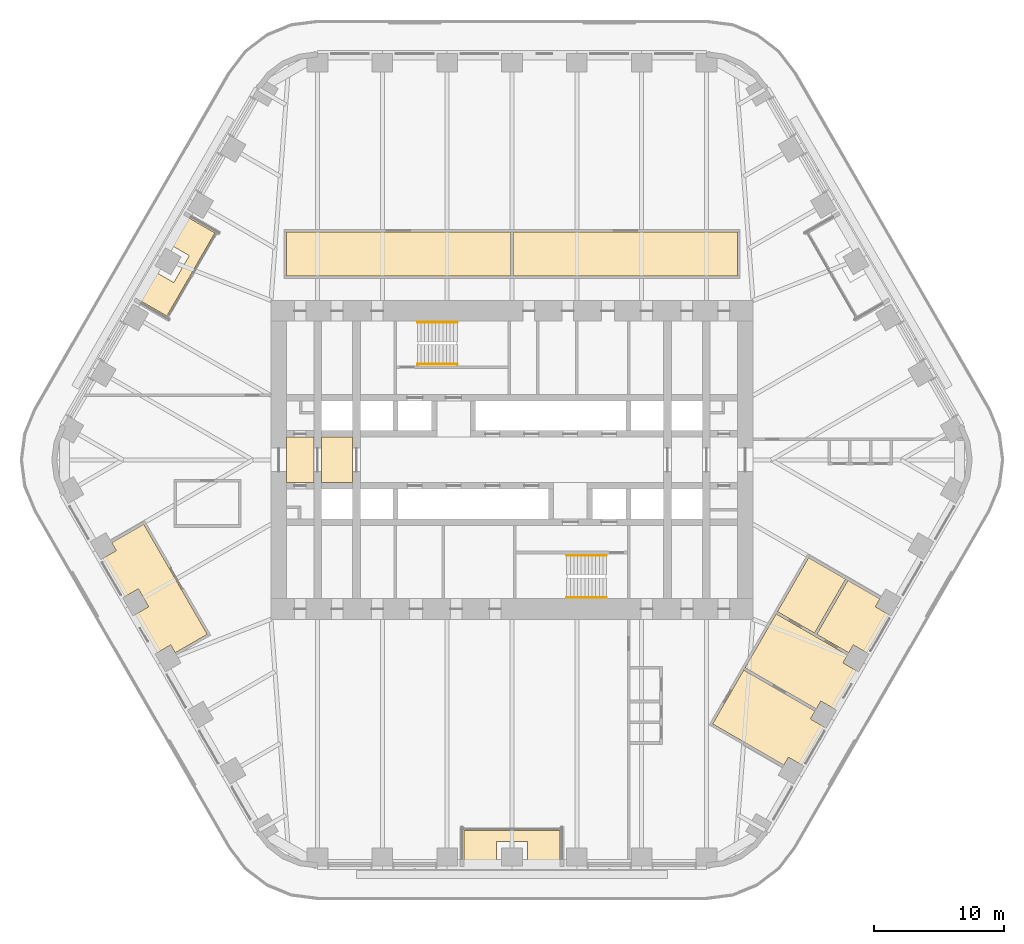
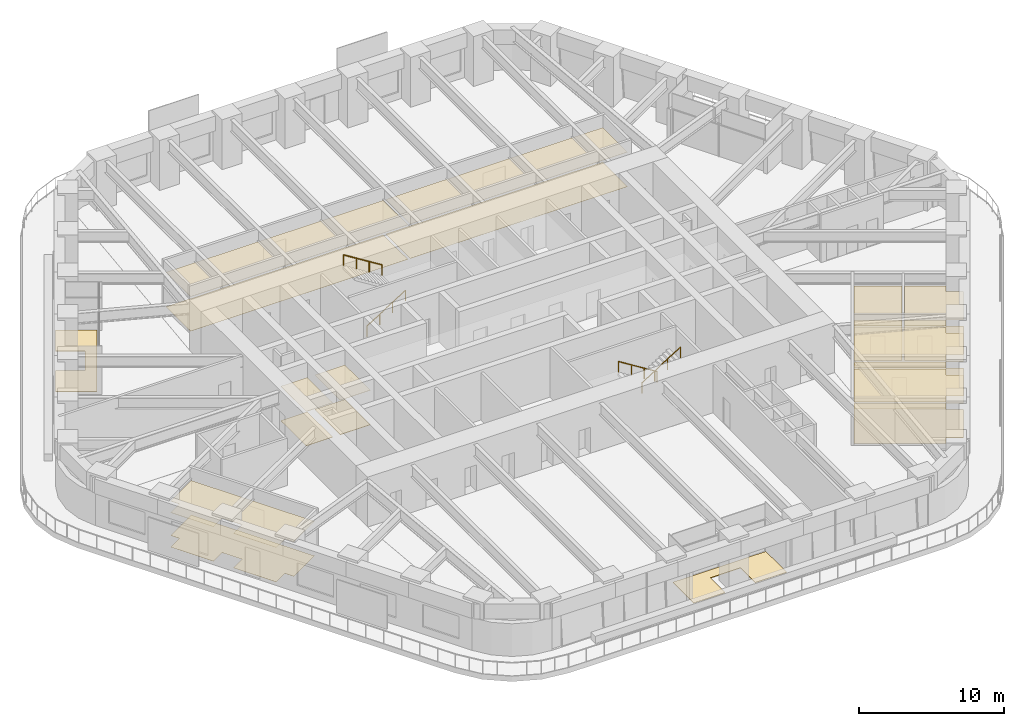
# One storey, part 22 of 24: 8 coverings, 4 railings.
"""IFC4 building model written with IfcOpenShell, lengths in metres."""

from ifc_helpers import new_model, si_unit, direction, frame, origin, origin_2d, place, context, subcontext, project, spatial, polyline, circle, outline, extrude, material, layer, layer_set, type_object, element, save


model = new_model("IFC4")

# Units and contexts
model_context = context("Model", 3, precision=1e-05, world=origin(), true_north=direction((0.0, 1.0)))
body_context = subcontext(model_context, "Body", "Model", "MODEL_VIEW")
ifc_project = project(units=[si_unit("LENGTHUNIT", "METRE"), si_unit("AREAUNIT", "SQUARE_METRE"), si_unit("VOLUMEUNIT", "CUBIC_METRE"), si_unit("PLANEANGLEUNIT", "RADIAN"), si_unit("MASSUNIT", "GRAM", prefix="KILO")], contexts=[model_context])

# Site, building, storey
site_placement = place(None, origin())
site = spatial("IfcSite", under=ifc_project, at=site_placement, CompositionType="ELEMENT")
building_placement = place(site_placement, origin())
building = spatial("IfcBuilding", under=site, at=building_placement, Name="Tarfa Lantern Tower", CompositionType="ELEMENT")
storey_placement = place(building_placement, frame((0.0, 0.0, 165.699951171875)))
storey = spatial("IfcBuildingStorey", under=building, at=storey_placement, Name="L37", CompositionType="ELEMENT", Elevation=165.699951171875)

# Coverings
ifc_material_1 = material(Name="Mineral fibre acoustic tile on suspension grid", Category="finish")
ifc_layer_1 = layer(ifc_material_1, 0.02001953125)
ifc_layer_set_1 = layer_set([ifc_layer_1], Name="CL1 ACOUSTIC TILE CEILING 20")
covering_type_1 = type_object("IfcCoveringType", Name="CL1 ACOUSTIC TILE CEILING 20", PredefinedType="CEILING", material=ifc_layer_set_1)
covering_1_placement = place(storey_placement, frame((0.0, 0.0, 2.900146484375)))
element("IfcCovering", 1, at=covering_1_placement, inside=storey, type_object=covering_type_1, Name="Ceiling L37 CL1", PredefinedType="CEILING", context=body_context, shape_type="SweptSolid", body=[
    extrude(outline(polyline([(-17.39990234375, 17.60009765625), (-0.10009765625, 17.60009765625), (-0.10009765625, 14.199951171875), (-17.39990234375, 14.199951171875), (-17.39990234375, 17.60009765625)])), origin(), (0.0, 0.0, 1.0), 0.02001953125),
    extrude(outline(polyline([(0.10009765625, 17.60009765625), (17.39990234375, 17.60009765625), (17.39990234375, 14.199951171875), (0.10009765625, 14.199951171875), (0.10009765625, 17.60009765625)])), origin(), (0.0, 0.0, 1.0), 0.02001953125),
    extrude(outline(polyline([(17.88623046875, -16.219970703125), (23.385498046875, -19.39501953125), (23.03564453125, -20.001220703125), (24.074951171875, -20.60107421875), (22.373046875, -23.548828125), (21.333740234375, -22.94873046875), (20.983642578125, -23.55517578125), (15.484375, -20.380126953125), (17.88623046875, -16.219970703125)])), origin(), (0.0, 0.0, 1.0), 0.02001953125),
    extrude(outline(polyline([(20.38818359375, -11.88671875), (25.887451171875, -15.0615234375), (25.537353515625, -15.667724609375), (26.57666015625, -16.267822265625), (24.874755859375, -19.215576171875), (23.835693359375, -18.615478515625), (23.485595703125, -19.2216796875), (17.986328125, -16.046630859375), (20.38818359375, -11.88671875)])), origin(), (0.0, 0.0, 1.0), 0.02001953125),
    extrude(outline(polyline([(25.921142578125, -9.30322265625), (28.389404296875, -10.728271484375), (28.039306640625, -11.33447265625), (29.07861328125, -11.9345703125), (27.376708984375, -14.882080078125), (26.33740234375, -14.2822265625), (25.987548828125, -14.888427734375), (23.519287109375, -13.46337890625), (25.921142578125, -9.30322265625)])), origin(), (0.0, 0.0, 1.0), 0.02001953125),
    extrude(outline(polyline([(22.89013671875, -7.55322265625), (25.748046875, -9.203369140625), (23.34619140625, -13.36328125), (20.48828125, -11.71337890625), (22.89013671875, -7.55322265625)])), origin(), (0.0, 0.0, 1.0), 0.02001953125),
    extrude(outline(polyline([(-23.519287109375, -13.46337890625), (-25.987548828125, -14.888427734375), (-26.33740234375, -14.2822265625), (-27.376708984375, -14.882080078125), (-29.07861328125, -11.9345703125), (-28.039306640625, -11.33447265625), (-28.83935546875, -9.94873046875), (-29.878662109375, -10.548828125), (-31.580322265625, -7.60107421875), (-30.541259765625, -7.001220703125), (-30.89111328125, -6.39501953125), (-28.423095703125, -4.969970703125), (-23.519287109375, -13.46337890625)])), origin(), (0.0, 0.0, 1.0), 0.02001953125),
])
ifc_material_2 = material(Name="Powder-coated aluminium panel", Category="aluminium")
ifc_layer_2 = layer(ifc_material_2, 0.030029296875)
ifc_layer_set_2 = layer_set([ifc_layer_2], Name="CL3 METAL PANEL CEILING 30")
covering_type_2 = type_object("IfcCoveringType", Name="CL3 METAL PANEL CEILING 30", PredefinedType="CEILING", material=ifc_layer_set_2)
covering_2_placement = place(storey_placement, frame((0.0, 0.0, 2.900146484375)))
element("IfcCovering", 2, at=covering_2_placement, inside=storey, type_object=covering_type_2, Name="Ceiling L37-01", PredefinedType="CEILING", context=body_context, shape_type="SweptSolid", body=[
    extrude(outline(polyline([(-17.39990234375, -1.75), (-15.300048828125, -1.75), (-15.300048828125, 1.75), (-17.39990234375, 1.75), (-17.39990234375, -1.75)])), origin(), (0.0, 0.0, 1.0), 0.02978515625),
])
covering_3_placement = place(storey_placement, frame((0.0, 0.0, 2.900146484375)))
element("IfcCovering", 3, at=covering_3_placement, inside=storey, type_object=covering_type_2, Name="Ceiling L37-02", PredefinedType="CEILING", context=body_context, shape_type="SweptSolid", body=[
    extrude(outline(polyline([(-14.699951171875, -1.75), (-12.300048828125, -1.75), (-12.300048828125, 1.75), (-14.699951171875, 1.75), (-14.699951171875, -1.75)])), origin(), (0.0, 0.0, 1.0), 0.02978515625),
])
ifc_material_3 = material(Name="Nylon carpet tile", Category="finish")
ifc_layer_3 = layer(ifc_material_3, 0.010009765625)
ifc_layer_set_3 = layer_set([ifc_layer_3], Name="FL1 CARPET TILE 10")
covering_type_3 = type_object("IfcCoveringType", Name="FL1 CARPET TILE 10", PredefinedType="FLOORING", material=ifc_layer_set_3)
covering_4_placement = place(storey_placement, origin())
element("IfcCovering", 4, at=covering_4_placement, inside=storey, type_object=covering_type_3, Name="Floor finish L37 FL1", PredefinedType="FLOORING", context=body_context, shape_type="SweptSolid", body=[
    extrude(outline(polyline([(-17.39990234375, 17.60009765625), (-0.10009765625, 17.60009765625), (-0.10009765625, 14.199951171875), (-17.39990234375, 14.199951171875), (-17.39990234375, 17.60009765625)])), origin(), (0.0, 0.0, 1.0), 0.010009765625),
    extrude(outline(polyline([(0.10009765625, 17.60009765625), (17.39990234375, 17.60009765625), (17.39990234375, 14.199951171875), (0.10009765625, 14.199951171875), (0.10009765625, 17.60009765625)])), origin(), (0.0, 0.0, 1.0), 0.010009765625),
    extrude(outline(polyline([(17.88623046875, -16.219970703125), (23.385498046875, -19.39501953125), (23.03564453125, -20.001220703125), (24.074951171875, -20.60107421875), (22.373046875, -23.548828125), (21.333740234375, -22.94873046875), (20.983642578125, -23.55517578125), (15.484375, -20.380126953125), (17.88623046875, -16.219970703125)])), origin(), (0.0, 0.0, 1.0), 0.010009765625),
    extrude(outline(polyline([(20.38818359375, -11.88671875), (25.887451171875, -15.0615234375), (25.537353515625, -15.667724609375), (26.57666015625, -16.267822265625), (24.874755859375, -19.215576171875), (23.835693359375, -18.615478515625), (23.485595703125, -19.2216796875), (17.986328125, -16.046630859375), (20.38818359375, -11.88671875)])), origin(), (0.0, 0.0, 1.0), 0.010009765625),
    extrude(outline(polyline([(25.921142578125, -9.30322265625), (28.389404296875, -10.728271484375), (28.039306640625, -11.33447265625), (29.07861328125, -11.9345703125), (27.376708984375, -14.882080078125), (26.33740234375, -14.2822265625), (25.987548828125, -14.888427734375), (23.519287109375, -13.46337890625), (25.921142578125, -9.30322265625)])), origin(), (0.0, 0.0, 1.0), 0.010009765625),
    extrude(outline(polyline([(22.89013671875, -7.55322265625), (25.748046875, -9.203369140625), (23.34619140625, -13.36328125), (20.48828125, -11.71337890625), (22.89013671875, -7.55322265625)])), origin(), (0.0, 0.0, 1.0), 0.010009765625),
    extrude(outline(polyline([(-23.519287109375, -13.46337890625), (-25.987548828125, -14.888427734375), (-26.33740234375, -14.2822265625), (-27.376708984375, -14.882080078125), (-29.07861328125, -11.9345703125), (-28.039306640625, -11.33447265625), (-28.83935546875, -9.94873046875), (-29.878662109375, -10.548828125), (-31.580322265625, -7.60107421875), (-30.541259765625, -7.001220703125), (-30.89111328125, -6.39501953125), (-28.423095703125, -4.969970703125), (-23.519287109375, -13.46337890625)])), origin(), (0.0, 0.0, 1.0), 0.010009765625),
])
ifc_material_4 = material(Name="Honed limestone flooring", Category="masonry")
ifc_layer_4 = layer(ifc_material_4, 0.030029296875)
ifc_layer_set_4 = layer_set([ifc_layer_4], Name="FL2 STONE FLOORING 30")
covering_type_4 = type_object("IfcCoveringType", Name="FL2 STONE FLOORING 30", PredefinedType="FLOORING", material=ifc_layer_set_4)
covering_5_placement = place(storey_placement, origin())
element("IfcCovering", 5, at=covering_5_placement, inside=storey, type_object=covering_type_4, Name="Floor finish L37-01", PredefinedType="FLOORING", context=body_context, shape_type="SweptSolid", body=[
    extrude(outline(polyline([(-17.39990234375, -1.75), (-15.300048828125, -1.75), (-15.300048828125, 1.75), (-17.39990234375, 1.75), (-17.39990234375, -1.75)])), origin(), (0.0, 0.0, 1.0), 0.030029296875),
])
covering_6_placement = place(storey_placement, origin())
element("IfcCovering", 6, at=covering_6_placement, inside=storey, type_object=covering_type_4, Name="Floor finish L37-02", PredefinedType="FLOORING", context=body_context, shape_type="SweptSolid", body=[
    extrude(outline(polyline([(-14.699951171875, -1.75), (-12.300048828125, -1.75), (-12.300048828125, 1.75), (-14.699951171875, 1.75), (-14.699951171875, -1.75)])), origin(), (0.0, 0.0, 1.0), 0.030029296875),
])

# Railings
ifc_material_5 = material(Name="Stainless steel", Category="steel")
railing_type = type_object("IfcRailingType", Name="HR1 HANDRAIL 900", PredefinedType="HANDRAIL", material=ifc_material_5)
railing_1_placement = place(storey_placement, frame((-7.300048828125, 7.3798828125, 0.175048828125)))
element("IfcRailing", 7, at=railing_1_placement, inside=storey, type_object=railing_type, Name="Handrail 1", PredefinedType="HANDRAIL", context=body_context, shape_type="SweptSolid", body=[
    extrude(circle(Radius=0.02392578125, at=origin_2d()), frame((0.0, 0.0, 0.8759765625), z_axis=(0.847998304005, 0.0, 0.529998940003), x_axis=(0.0, 1.0, 0.0)), (0.0, 0.0, 1.0), 3.632080078125),
    extrude(circle(Radius=0.02099609375, at=origin_2d()), frame((0.0, 0.0, 0.0), z_axis=(0.0, 0.0, 1.0), x_axis=(0.0, 1.0, 0.0)), (0.0, 0.0, 1.0), 0.851806640625),
    extrude(circle(Radius=0.02099609375, at=origin_2d()), frame((1.026611328125, 0.0, 0.6416015625), z_axis=(0.0, 0.0, 1.0), x_axis=(0.0, 1.0, 0.0)), (0.0, 0.0, 1.0), 0.851806640625),
    extrude(circle(Radius=0.02099609375, at=origin_2d()), frame((2.053466796875, 0.0, 1.283447265625), z_axis=(0.0, 0.0, 1.0), x_axis=(0.0, 1.0, 0.0)), (0.0, 0.0, 1.0), 0.851806640625),
    extrude(circle(Radius=0.02099609375, at=origin_2d()), frame((3.080078125, 0.0, 1.925048828125), z_axis=(0.0, 0.0, 1.0), x_axis=(0.0, 1.0, 0.0)), (0.0, 0.0, 1.0), 0.851806640625),
])
railing_2_placement = place(storey_placement, frame((-4.219970703125, 10.6201171875, 2.275146484375)))
element("IfcRailing", 8, at=railing_2_placement, inside=storey, type_object=railing_type, Name="Handrail 2", PredefinedType="HANDRAIL", context=body_context, shape_type="SweptSolid", body=[
    extrude(circle(Radius=0.02392578125, at=origin_2d()), frame((0.0, 0.0, 0.8759765625), z_axis=(-0.848028513186, 0.0, 0.529950602248), x_axis=(0.0, -1.0, 0.0)), (0.0, 0.0, 1.0), 3.632080078125),
    extrude(circle(Radius=0.02099609375, at=origin_2d()), frame((0.0, 0.0, 0.0), z_axis=(0.0, 0.0, 1.0), x_axis=(0.0, -1.0, 0.0)), (0.0, 0.0, 1.0), 0.851806640625),
    extrude(circle(Radius=0.02099609375, at=origin_2d()), frame((-1.026611328125, 0.0, 0.6416015625), z_axis=(0.0, 0.0, 1.0), x_axis=(0.0, -1.0, 0.0)), (0.0, 0.0, 1.0), 0.851806640625),
    extrude(circle(Radius=0.02099609375, at=origin_2d()), frame((-2.053466796875, 0.0, 1.283203125), z_axis=(0.0, 0.0, 1.0), x_axis=(0.0, -1.0, 0.0)), (0.0, 0.0, 1.0), 0.851806640625),
    extrude(circle(Radius=0.02099609375, at=origin_2d()), frame((-3.080078125, 0.0, 1.9248046875), z_axis=(0.0, 0.0, 1.0), x_axis=(0.0, -1.0, 0.0)), (0.0, 0.0, 1.0), 0.851806640625),
])
railing_3_placement = place(storey_placement, frame((7.300048828125, -7.3798828125, 0.175048828125)))
element("IfcRailing", 9, at=railing_3_placement, inside=storey, type_object=railing_type, Name="Handrail 1", PredefinedType="HANDRAIL", context=body_context, shape_type="SweptSolid", body=[
    extrude(circle(Radius=0.02392578125, at=origin_2d()), frame((0.0, 0.0, 0.8759765625), z_axis=(-0.847998304005, 0.0, 0.529998940003), x_axis=(0.0, -1.0, 0.0)), (0.0, 0.0, 1.0), 3.632080078125),
    extrude(circle(Radius=0.02099609375, at=origin_2d()), frame((0.0, 0.0, 0.0), z_axis=(0.0, 0.0, 1.0), x_axis=(0.0, -1.0, 0.0)), (0.0, 0.0, 1.0), 0.851806640625),
    extrude(circle(Radius=0.02099609375, at=origin_2d()), frame((-1.026611328125, 0.0, 0.6416015625), z_axis=(0.0, 0.0, 1.0), x_axis=(0.0, -1.0, 0.0)), (0.0, 0.0, 1.0), 0.851806640625),
    extrude(circle(Radius=0.02099609375, at=origin_2d()), frame((-2.053466796875, 0.0, 1.283447265625), z_axis=(0.0, 0.0, 1.0), x_axis=(0.0, -1.0, 0.0)), (0.0, 0.0, 1.0), 0.851806640625),
    extrude(circle(Radius=0.02099609375, at=origin_2d()), frame((-3.080078125, 0.0, 1.925048828125), z_axis=(0.0, 0.0, 1.0), x_axis=(0.0, -1.0, 0.0)), (0.0, 0.0, 1.0), 0.851806640625),
])
railing_4_placement = place(storey_placement, frame((4.219970703125, -10.6201171875, 2.275146484375)))
element("IfcRailing", 10, at=railing_4_placement, inside=storey, type_object=railing_type, Name="Handrail 2", PredefinedType="HANDRAIL", context=body_context, shape_type="SweptSolid", body=[
    extrude(circle(Radius=0.02392578125, at=origin_2d()), frame((0.0, 0.0, 0.8759765625), z_axis=(0.848028513186, 0.0, 0.529950602248), x_axis=(0.0, 1.0, 0.0)), (0.0, 0.0, 1.0), 3.632080078125),
    extrude(circle(Radius=0.02099609375, at=origin_2d()), frame((0.0, 0.0, 0.0), z_axis=(0.0, 0.0, 1.0), x_axis=(0.0, 1.0, 0.0)), (0.0, 0.0, 1.0), 0.851806640625),
    extrude(circle(Radius=0.02099609375, at=origin_2d()), frame((1.026611328125, 0.0, 0.6416015625), z_axis=(0.0, 0.0, 1.0), x_axis=(0.0, 1.0, 0.0)), (0.0, 0.0, 1.0), 0.851806640625),
    extrude(circle(Radius=0.02099609375, at=origin_2d()), frame((2.053466796875, 0.0, 1.283203125), z_axis=(0.0, 0.0, 1.0), x_axis=(0.0, 1.0, 0.0)), (0.0, 0.0, 1.0), 0.851806640625),
    extrude(circle(Radius=0.02099609375, at=origin_2d()), frame((3.080078125, 0.0, 1.9248046875), z_axis=(0.0, 0.0, 1.0), x_axis=(0.0, 1.0, 0.0)), (0.0, 0.0, 1.0), 0.851806640625),
])

# Coverings
ifc_material_6 = material(Name="Porcelain pavers on pedestals", Category="ceramic")
ifc_layer_5 = layer(ifc_material_6, 0.0400390625)
ifc_layer_set_5 = layer_set([ifc_layer_5], Name="LP1 LOGGIA PAVING 40")
covering_type_5 = type_object("IfcCoveringType", Name="LP1 LOGGIA PAVING 40", PredefinedType="FLOORING", material=ifc_layer_set_5)
covering_7_placement = place(storey_placement, origin())
element("IfcCovering", 11, at=covering_7_placement, inside=storey, type_object=covering_type_5, Name="Loggia paving NW", PredefinedType="FLOORING", context=body_context, shape_type="SweptSolid", body=[
    extrude(outline(polyline([(-25.427978515625, 18.95751953125), (-22.933837890625, 17.517578125), (-26.637451171875, 11.1025390625), (-29.131591796875, 12.54248046875), (-27.8798828125, 14.710693359375), (-26.1044921875, 13.685791015625), (-24.904541015625, 15.76416015625), (-26.6796875, 16.789306640625), (-25.427978515625, 18.95751953125)])), origin(), (0.0, 0.0, 1.0), 0.0400390625),
])
covering_8_placement = place(storey_placement, origin())
element("IfcCovering", 12, at=covering_8_placement, inside=storey, type_object=covering_type_5, Name="Loggia paving S", PredefinedType="FLOORING", context=body_context, shape_type="SweptSolid", body=[
    extrude(outline(polyline([(-3.70361328125, -31.5), (-3.70361328125, -28.6201171875), (3.70361328125, -28.6201171875), (3.70361328125, -31.5), (1.199951171875, -31.5), (1.199951171875, -29.449951171875), (-1.199951171875, -29.449951171875), (-1.199951171875, -31.5), (-3.70361328125, -31.5)])), origin(), (0.0, 0.0, 1.0), 0.0400390625),
])

save(model, "model.ifc")
